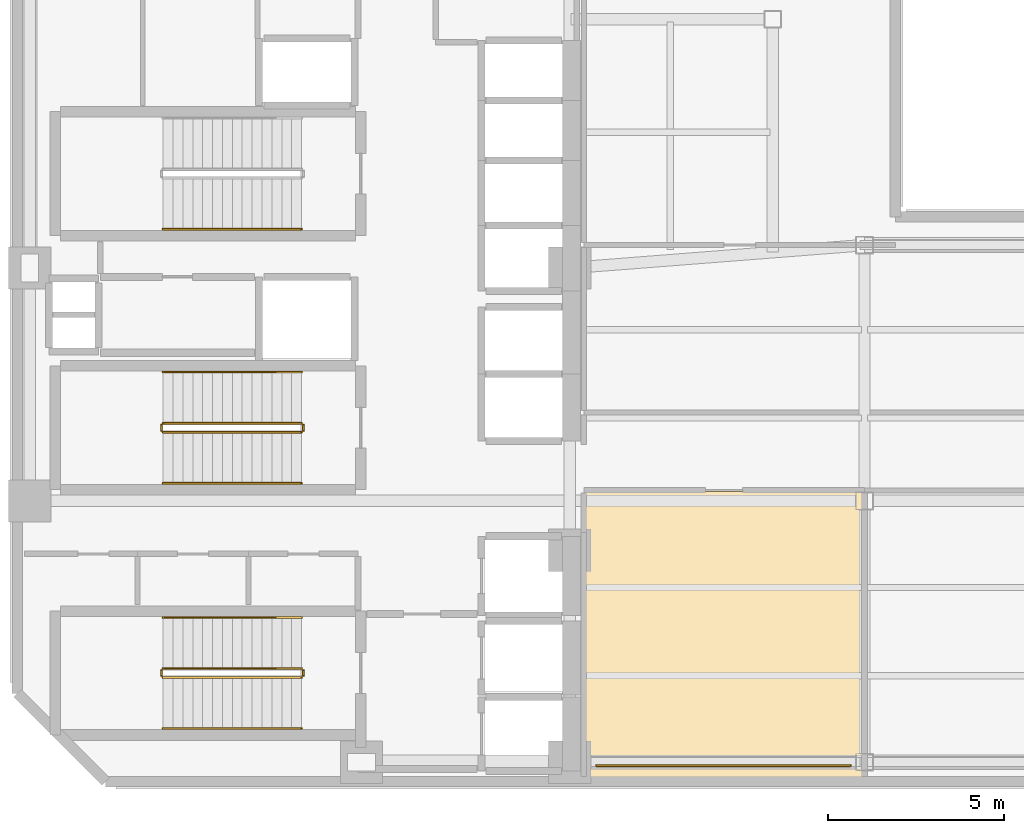
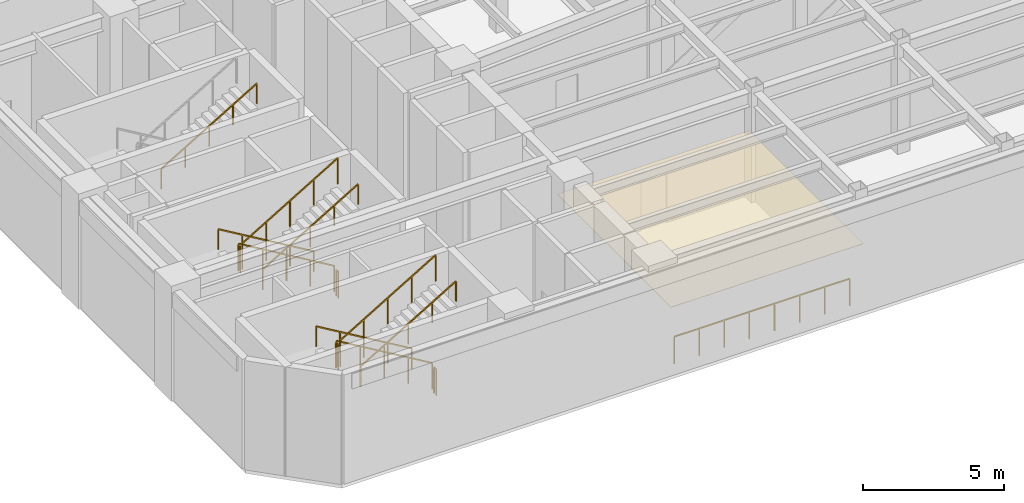
# One storey, part 6 of 9: 14 railings, 1 covering.
"""IFC4 building model written with IfcOpenShell, lengths in metres."""

import ifcopenshell
import ifcopenshell.guid

model = None  # the IFC model being written
_history = None  # IfcOwnerHistory: only IFC2X3 demands one
_inside = {}  # id of a spatial element -> (the spatial element, [elements in it])
_under = {}  # id of a project, library or spatial element -> (it, [spatial elements below it])
_declared = {}  # id of a project -> (the project, [libraries it declares])
_typed = {}  # id of a type object -> (the type object, [elements of that type])
_made_of = {}  # id of a material, layer set ... -> (it, [elements and type objects made of it])


def new_model(schema):
    """Start an empty IFC model of exactly this schema.

    Asked for "IFC4X3", IfcOpenShell would pick the latest addendum, in which some entities
    have other attributes; the version numbers below select the first issue.
    IFC2X3 requires an IfcOwnerHistory on every rooted entity: one is made here for all.
    """
    global model, _history
    if schema == "IFC4X3":
        model = ifcopenshell.file(schema_version=(4, 3, 0, 0))
    else:
        model = ifcopenshell.file(schema=schema)
    _inside.clear()
    _under.clear()
    _declared.clear()
    _typed.clear()
    _made_of.clear()
    _history = None
    if model.schema == "IFC2X3":
        org = make("IfcOrganization", Name="unknown")
        user = make(
            "IfcPersonAndOrganization",
            ThePerson=make("IfcPerson", FamilyName="unknown"),
            TheOrganization=org,
        )
        app = make(
            "IfcApplication",
            ApplicationDeveloper=org,
            Version="unknown",
            ApplicationFullName="unknown",
            ApplicationIdentifier="unknown",
        )
        _history = make(
            "IfcOwnerHistory",
            OwningUser=user,
            OwningApplication=app,
            ChangeAction="ADDED",
            CreationDate=0,
        )
    return model


def make(cls, **values):
    """One entity of the class cls with the attributes given. An attribute that is None is left unset."""
    return model.create_entity(
        cls, **{name: value for name, value in values.items() if value is not None}
    )


def rooted(cls, **values):
    """An entity with a GlobalId (a new one), such as an element, a storey or a relation."""
    return make(cls, GlobalId=ifcopenshell.guid.new(), OwnerHistory=_history, **values)


def si_unit(unit_type, name, prefix=None):
    """IfcSIUnit, for example si_unit("LENGTHUNIT", "METRE", prefix="MILLI")."""
    return make("IfcSIUnit", UnitType=unit_type, Prefix=prefix, Name=name)


def assignment(units):
    """IfcUnitAssignment: the units of a project."""
    return None if units is None else make("IfcUnitAssignment", Units=units)


def point(xyz):
    """IfcCartesianPoint."""
    return None if xyz is None else make("IfcCartesianPoint", Coordinates=xyz)


def direction(xyz):
    """IfcDirection."""
    return None if xyz is None else make("IfcDirection", DirectionRatios=xyz)


def frame(location, z_axis=None, x_axis=None):
    """IfcAxis2Placement3D, a coordinate frame: its origin and axes. An axis left out is left unset."""
    return make(
        "IfcAxis2Placement3D",
        Location=point(location),
        Axis=direction(z_axis),
        RefDirection=direction(x_axis),
    )


def frame_2d(location, x_axis=None):
    """IfcAxis2Placement2D, a coordinate frame in the plane: its origin and x axis."""
    return make(
        "IfcAxis2Placement2D", Location=point(location), RefDirection=direction(x_axis)
    )


def origin():
    """The frame at (0, 0, 0) with its axes left unset."""
    return frame((0.0, 0.0, 0.0))


def origin_2d():
    """The frame at (0, 0) in the plane with its x axis left unset."""
    return frame_2d((0.0, 0.0))


def place(relative_to, where):
    """IfcLocalPlacement: puts the frame where relative to a parent placement (None: the world)."""
    return make(
        "IfcLocalPlacement", PlacementRelTo=relative_to, RelativePlacement=where
    )


def context(
    kind, dimensions, precision=None, world=None, true_north=None, identifier=None
):
    """IfcGeometricRepresentationContext, for example the 3D "Model" context."""
    return make(
        "IfcGeometricRepresentationContext",
        ContextIdentifier=identifier,
        ContextType=kind,
        CoordinateSpaceDimension=dimensions,
        Precision=precision,
        WorldCoordinateSystem=world,
        TrueNorth=true_north,
    )


def subcontext(parent, identifier, kind, view, scale=None):
    """IfcGeometricRepresentationSubContext, for example "Body" below "Model"."""
    return make(
        "IfcGeometricRepresentationSubContext",
        ContextIdentifier=identifier,
        ContextType=kind,
        ParentContext=parent,
        TargetScale=scale,
        TargetView=view,
    )


def project(units=None, contexts=None):
    """IfcProject with its units and contexts."""
    return rooted(
        "IfcProject",
        Name="project",
        RepresentationContexts=contexts,
        UnitsInContext=assignment(units),
    )


def spatial(cls, under=None, at=None, **own):
    """A site, building, storey or space (cls), placed at a placement, below another one or the project."""
    s = rooted(cls, ObjectPlacement=at, **own)
    if under is not None:
        _under.setdefault(under.id(), (under, []))[1].append(s)
    return s


def polyline(points):
    """IfcPolyline through the points."""
    return make("IfcPolyline", Points=[point(p) for p in points])


def profile(cls, at=None, kind="AREA", **sizes):
    """A parametric profile (cls). Its sizes go by their IFC names, for example OverallWidth=200.0."""
    return make(cls, ProfileType=kind, Position=at, **sizes)


def rectangle(**sizes):
    """IfcRectangleProfileDef."""
    return profile("IfcRectangleProfileDef", **sizes)


def outline(outer, holes=None, kind="AREA"):
    """IfcArbitraryClosedProfileDef: a profile drawn as a closed curve; with holes, ...WithVoids."""
    if holes is None:
        return make("IfcArbitraryClosedProfileDef", ProfileType=kind, OuterCurve=outer)
    return make(
        "IfcArbitraryProfileDefWithVoids",
        ProfileType=kind,
        OuterCurve=outer,
        InnerCurves=holes,
    )


def extrude(swept, where, along, depth):
    """IfcExtrudedAreaSolid: the profile swept, set in the frame where, extruded along a direction by depth."""
    return make(
        "IfcExtrudedAreaSolid",
        SweptArea=swept,
        Position=where,
        ExtrudedDirection=direction(along),
        Depth=depth,
    )


def shape(context_of_items, identifier, shape_type, items):
    """IfcShapeRepresentation: the items that make up one representation, for example the "Body"."""
    return make(
        "IfcShapeRepresentation",
        ContextOfItems=context_of_items,
        RepresentationIdentifier=identifier,
        RepresentationType=shape_type,
        Items=items,
    )


def material(Name=None, Category=None):
    """IfcMaterial."""
    return make("IfcMaterial", Name=Name, Category=Category)


def layer(
    of_material, thickness, ventilated=None, Name=None, Category=None, Priority=None
):
    """IfcMaterialLayer: one layer of a wall or slab, of a material (None: an air gap)."""
    return make(
        "IfcMaterialLayer",
        Material=of_material,
        LayerThickness=thickness,
        IsVentilated=ventilated,
        Name=Name,
        Category=Category,
        Priority=Priority,
    )


def layer_set(layers, Name=None):
    """IfcMaterialLayerSet."""
    return make("IfcMaterialLayerSet", MaterialLayers=layers, LayerSetName=Name)


def made_of(thing, what):
    """Note that an element or type object is made of a material, layer set ...; save() writes the relation."""
    if what is not None:
        _made_of.setdefault(what.id(), (what, []))[1].append(thing)
    return thing


def type_object(cls, material=None, **own):
    """A type object (cls), such as IfcWallType, which elements share."""
    return made_of(rooted(cls, **own), material)


def element(
    cls,
    number,
    at=None,
    inside=None,
    cuts=None,
    type_object=None,
    material=None,
    context=None,
    identifier="Body",
    shape_type=None,
    held_by="IfcProductDefinitionShape",
    body=None,
    shapes=None,
    **own,
):
    """One element of the class cls, such as IfcWall. Its Tag is "e" and its number.

    at: its placement. inside: the storey or other place that contains it. cuts: it is an
    opening in that element (IfcRelVoidsElement). A single representation is given by context,
    identifier, shape_type and body (its items); several are given by shapes. held_by: the class
    of the entity that holds the representations. save() writes the other relations.
    """
    e = rooted(cls, Tag="e%d" % number, ObjectPlacement=at, **own)
    if body is not None:
        shapes = [shape(context, identifier, shape_type, body)]
    if shapes is not None:
        e.Representation = make(held_by, Representations=shapes)
    if inside is not None:
        _inside.setdefault(inside.id(), (inside, []))[1].append(e)
    if cuts is not None:
        rooted(
            "IfcRelVoidsElement", RelatingBuildingElement=cuts, RelatedOpeningElement=e
        )
    if type_object is not None:
        _typed.setdefault(type_object.id(), (type_object, []))[1].append(e)
    return made_of(e, material)


def aggregate(whole, parts):
    """IfcRelAggregates: a whole, such as a stair, and the parts it consists of."""
    return rooted("IfcRelAggregates", RelatingObject=whole, RelatedObjects=parts)


def save(model, path):
    """Write the relations noted so far, then the file.

    IfcRelAggregates (storeys below a building ...), IfcRelContainedInSpatialStructure (elements
    in a storey), IfcRelDefinesByType, IfcRelAssociatesMaterial and IfcRelDeclares: one each for
    every whole, place, type object, material and project.
    """
    for whole, parts in _under.values():
        aggregate(whole, parts)
    for where, things in _inside.values():
        rooted(
            "IfcRelContainedInSpatialStructure",
            RelatedElements=things,
            RelatingStructure=where,
        )
    for kind, things in _typed.values():
        rooted("IfcRelDefinesByType", RelatedObjects=things, RelatingType=kind)
    for what, things in _made_of.values():
        rooted("IfcRelAssociatesMaterial", RelatedObjects=things, RelatingMaterial=what)
    for by, libraries in _declared.values():
        rooted("IfcRelDeclares", RelatingContext=by, RelatedDefinitions=libraries)
    model.write(path)


model = new_model("IFC4")

# Units and contexts
model_context = context("Model", 3, precision=1e-05, world=origin(), true_north=direction((0.0, 1.0)))
body_context = subcontext(model_context, "Body", "Model", "MODEL_VIEW")
ifc_project = project(units=[si_unit("LENGTHUNIT", "METRE"), si_unit("AREAUNIT", "SQUARE_METRE"), si_unit("VOLUMEUNIT", "CUBIC_METRE"), si_unit("PLANEANGLEUNIT", "RADIAN"), si_unit("MASSUNIT", "GRAM", prefix="KILO")], contexts=[model_context])

# Site, building, storey
site_placement = place(None, origin())
site = spatial("IfcSite", under=ifc_project, at=site_placement, CompositionType="ELEMENT")
building_placement = place(site_placement, origin())
building = spatial("IfcBuilding", under=site, at=building_placement, Name="Mawjaban Terraces University", CompositionType="ELEMENT")
storey_placement = place(building_placement, frame((0.0, 0.0, 165.800048828125)))
storey = spatial("IfcBuildingStorey", under=building, at=storey_placement, Name="L40", CompositionType="ELEMENT", Elevation=165.800048828125)

# Covering
ifc_material_1 = material(Name="Acoustic mineral fibre ceiling tile", Category="masonry")
ifc_layer = layer(ifc_material_1, 0.02001953125)
ifc_layer_set = layer_set([ifc_layer], Name="Acoustic mineral fibre ceiling tile")
covering_type = type_object("IfcCoveringType", Name="AcousticMineralCeiling_20", PredefinedType="CEILING", material=ifc_layer_set)
covering_placement = place(storey_placement, frame((0.0, 0.0, 2.75)))
element("IfcCovering", 1, at=covering_placement, inside=storey, type_object=covering_type, Name="L40 Designated Smoke-Protected Refuge Area East Acoustic Ceiling", PredefinedType="CEILING", context=body_context, shape_type="SweptSolid", body=[
    extrude(outline(polyline([(38.080078125, 0.114990234375), (45.969970703125, 0.114990234375), (45.969970703125, 8.219970703125), (38.080078125, 8.219970703125), (38.080078125, 0.114990234375)])), origin(), (0.0, 0.0, 1.0), 0.02001953125),
])

# Railings
ifc_material_2 = material(Name="Brushed stainless steel 316", Category="steel")
railing_type_1 = type_object("IfcRailingType", Name="StairWallHandrail_900", PredefinedType="HANDRAIL", material=ifc_material_2)
railing_1_placement = place(storey_placement, frame((30.050048828125, 4.64990234375, 0.16650390625)))
element("IfcRailing", 2, at=railing_1_placement, inside=storey, type_object=railing_type_1, Name="L40 ST-1 stair handrail 1", PredefinedType="HANDRAIL", context=body_context, shape_type="SweptSolid", body=[
    extrude(rectangle(XDim=0.048095703125, YDim=0.048095703125, at=origin_2d()), frame((0.0, 0.0, 0.8759765625), z_axis=(-0.859286724212, 0.0, 0.511494208758), x_axis=(0.0, -1.0, 0.0)), (0.0, 0.0, 1.0), 4.56201171875),
    extrude(rectangle(XDim=0.0419921875, YDim=0.0419921875, at=origin_2d()), origin(), (0.0, 0.0, 1.0), 0.851806640625),
    extrude(rectangle(XDim=0.0419921875, YDim=0.0419921875, at=origin_2d()), frame((-0.97998046875, 0.0, 0.58349609375)), (0.0, 0.0, 1.0), 0.851806640625),
    extrude(rectangle(XDim=0.0419921875, YDim=0.0419921875, at=origin_2d()), frame((-1.9599609375, 0.0, 1.166748046875)), (0.0, 0.0, 1.0), 0.851806640625),
    extrude(rectangle(XDim=0.0419921875, YDim=0.0419921875, at=origin_2d()), frame((-2.940185546875, 0.0, 1.75)), (0.0, 0.0, 1.0), 0.851806640625),
    extrude(rectangle(XDim=0.0419921875, YDim=0.0419921875, at=origin_2d()), frame((-3.920166015625, 0.0, 2.33349609375)), (0.0, 0.0, 1.0), 0.851806640625),
])
for number, where, name in (
    (3, (26.1298828125, 1.5, 2.66650390625), "L40 ST-1 stair handrail 2"),
    (4, (26.1298828125, 15.64990234375, 2.66650390625), "L40 ST-2 stair handrail 2"),
):
    element("IfcRailing", number, at=place(storey_placement, frame(where)), inside=storey, type_object=railing_type_1, Name=name, PredefinedType="HANDRAIL", context=body_context, shape_type="SweptSolid", body=[
        extrude(rectangle(XDim=0.048095703125, YDim=0.048095703125, at=origin_2d()), frame((0.0, 0.0, 0.8759765625), z_axis=(0.859286724212, 0.0, 0.511494208758), x_axis=(0.0, 1.0, 0.0)), (0.0, 0.0, 1.0), 4.56201171875),
        extrude(rectangle(XDim=0.0419921875, YDim=0.0419921875, at=origin_2d()), origin(), (0.0, 0.0, 1.0), 0.851806640625),
        extrude(rectangle(XDim=0.0419921875, YDim=0.0419921875, at=origin_2d()), frame((0.97998046875, 0.0, 0.58349609375)), (0.0, 0.0, 1.0), 0.851806640625),
        extrude(rectangle(XDim=0.0419921875, YDim=0.0419921875, at=origin_2d()), frame((1.9599609375, 0.0, 1.166748046875)), (0.0, 0.0, 1.0), 0.851806640625),
        extrude(rectangle(XDim=0.0419921875, YDim=0.0419921875, at=origin_2d()), frame((2.940185546875, 0.0, 1.75)), (0.0, 0.0, 1.0), 0.851806640625),
        extrude(rectangle(XDim=0.0419921875, YDim=0.0419921875, at=origin_2d()), frame((3.920166015625, 0.0, 2.33349609375)), (0.0, 0.0, 1.0), 0.851806640625),
    ])
railing_2_placement = place(storey_placement, frame((30.050048828125, 11.60009765625, 0.16650390625)))
element("IfcRailing", 5, at=railing_2_placement, inside=storey, type_object=railing_type_1, Name="L40 ST-3 stair handrail 1", PredefinedType="HANDRAIL", context=body_context, shape_type="SweptSolid", body=[
    extrude(rectangle(XDim=0.048095703125, YDim=0.048095703125, at=origin_2d()), frame((0.0, 0.0, 0.8759765625), z_axis=(-0.859286724212, 0.0, 0.511494208758), x_axis=(0.0, -1.0, 0.0)), (0.0, 0.0, 1.0), 4.56201171875),
    extrude(rectangle(XDim=0.0419921875, YDim=0.0419921875, at=origin_2d()), origin(), (0.0, 0.0, 1.0), 0.851806640625),
    extrude(rectangle(XDim=0.0419921875, YDim=0.0419921875, at=origin_2d()), frame((-0.97998046875, 0.0, 0.58349609375)), (0.0, 0.0, 1.0), 0.851806640625),
    extrude(rectangle(XDim=0.0419921875, YDim=0.0419921875, at=origin_2d()), frame((-1.9599609375, 0.0, 1.166748046875)), (0.0, 0.0, 1.0), 0.851806640625),
    extrude(rectangle(XDim=0.0419921875, YDim=0.0419921875, at=origin_2d()), frame((-2.940185546875, 0.0, 1.75)), (0.0, 0.0, 1.0), 0.851806640625),
    extrude(rectangle(XDim=0.0419921875, YDim=0.0419921875, at=origin_2d()), frame((-3.920166015625, 0.0, 2.33349609375)), (0.0, 0.0, 1.0), 0.851806640625),
])
railing_3_placement = place(storey_placement, frame((26.1298828125, 8.449951171875, 2.66650390625)))
element("IfcRailing", 6, at=railing_3_placement, inside=storey, type_object=railing_type_1, Name="L40 ST-3 stair handrail 2", PredefinedType="HANDRAIL", context=body_context, shape_type="SweptSolid", body=[
    extrude(rectangle(XDim=0.048095703125, YDim=0.048095703125, at=origin_2d()), frame((0.0, 0.0, 0.8759765625), z_axis=(0.859286724212, 0.0, 0.511494208758), x_axis=(0.0, 1.0, 0.0)), (0.0, 0.0, 1.0), 4.56201171875),
    extrude(rectangle(XDim=0.0419921875, YDim=0.0419921875, at=origin_2d()), origin(), (0.0, 0.0, 1.0), 0.851806640625),
    extrude(rectangle(XDim=0.0419921875, YDim=0.0419921875, at=origin_2d()), frame((0.97998046875, 0.0, 0.58349609375)), (0.0, 0.0, 1.0), 0.851806640625),
    extrude(rectangle(XDim=0.0419921875, YDim=0.0419921875, at=origin_2d()), frame((1.9599609375, 0.0, 1.166748046875)), (0.0, 0.0, 1.0), 0.851806640625),
    extrude(rectangle(XDim=0.0419921875, YDim=0.0419921875, at=origin_2d()), frame((2.940185546875, 0.0, 1.75)), (0.0, 0.0, 1.0), 0.851806640625),
    extrude(rectangle(XDim=0.0419921875, YDim=0.0419921875, at=origin_2d()), frame((3.920166015625, 0.0, 2.33349609375)), (0.0, 0.0, 1.0), 0.851806640625),
])
ifc_material_3 = material(Name="Galvanised painted steel S355", Category="steel")
railing_type_2 = type_object("IfcRailingType", Name="StairWellGuard_1150", PredefinedType="BALUSTRADE", material=ifc_material_3)
railing_4_placement = place(storey_placement, frame((30.050048828125, 3.199951171875, 0.16650390625)))
element("IfcRailing", 7, at=railing_4_placement, inside=storey, type_object=railing_type_2, Name="L40 ST-1 stair guard 1", PredefinedType="BALUSTRADE", context=body_context, shape_type="SweptSolid", body=[
    extrude(rectangle(XDim=0.048095703125, YDim=0.048095703125, at=origin_2d()), frame((0.0, 0.0, 1.1259765625), z_axis=(-0.859286724212, 0.0, 0.511494208758), x_axis=(0.0, -1.0, 0.0)), (0.0, 0.0, 1.0), 4.56201171875),
    extrude(rectangle(XDim=0.0419921875, YDim=0.0419921875, at=origin_2d()), origin(), (0.0, 0.0, 1.0), 1.101806640625),
    extrude(rectangle(XDim=0.0419921875, YDim=0.0419921875, at=origin_2d()), frame((-0.97998046875, 0.0, 0.58349609375)), (0.0, 0.0, 1.0), 1.101806640625),
    extrude(rectangle(XDim=0.0419921875, YDim=0.0419921875, at=origin_2d()), frame((-1.9599609375, 0.0, 1.166748046875)), (0.0, 0.0, 1.0), 1.101806640625),
    extrude(rectangle(XDim=0.0419921875, YDim=0.0419921875, at=origin_2d()), frame((-2.940185546875, 0.0, 1.75)), (0.0, 0.0, 1.0), 1.101806640625),
    extrude(rectangle(XDim=0.0419921875, YDim=0.0419921875, at=origin_2d()), frame((-3.920166015625, 0.0, 2.33349609375)), (0.0, 0.0, 1.0), 1.101806640625),
])
railing_5_placement = place(storey_placement, frame((26.080078125, 3.14990234375, 2.5)))
element("IfcRailing", 8, at=railing_5_placement, inside=storey, type_object=railing_type_2, Name="L40 ST-1 stair guard 2", PredefinedType="BALUSTRADE", context=body_context, shape_type="SweptSolid", body=[
    extrude(rectangle(XDim=0.048095703125, YDim=0.048095703125, at=origin_2d()), frame((0.0, 0.0, 1.1259765625), z_axis=(0.0, -1.0, 0.0), x_axis=(1.0, 0.0, 0.0)), (0.0, 0.0, 1.0), 0.14990234375),
    extrude(rectangle(XDim=0.0419921875, YDim=0.0419921875, at=origin_2d()), origin(), (0.0, 0.0, 1.0), 1.101806640625),
    extrude(rectangle(XDim=0.0419921875, YDim=0.0419921875, at=origin_2d()), frame((0.0, -0.14990234375, 0.0)), (0.0, 0.0, 1.0), 1.101806640625),
])
railing_6_placement = place(storey_placement, frame((26.1298828125, 2.949951171875, 2.66650390625)))
element("IfcRailing", 9, at=railing_6_placement, inside=storey, type_object=railing_type_2, Name="L40 ST-1 stair guard 3", PredefinedType="BALUSTRADE", context=body_context, shape_type="SweptSolid", body=[
    extrude(rectangle(XDim=0.048095703125, YDim=0.048095703125, at=origin_2d()), frame((0.0, 0.0, 1.1259765625), z_axis=(0.859286724212, 0.0, 0.511494208758), x_axis=(0.0, 1.0, 0.0)), (0.0, 0.0, 1.0), 4.56201171875),
    extrude(rectangle(XDim=0.0419921875, YDim=0.0419921875, at=origin_2d()), origin(), (0.0, 0.0, 1.0), 1.101806640625),
    extrude(rectangle(XDim=0.0419921875, YDim=0.0419921875, at=origin_2d()), frame((0.97998046875, 0.0, 0.58349609375)), (0.0, 0.0, 1.0), 1.101806640625),
    extrude(rectangle(XDim=0.0419921875, YDim=0.0419921875, at=origin_2d()), frame((1.9599609375, 0.0, 1.166748046875)), (0.0, 0.0, 1.0), 1.101806640625),
    extrude(rectangle(XDim=0.0419921875, YDim=0.0419921875, at=origin_2d()), frame((2.940185546875, 0.0, 1.75)), (0.0, 0.0, 1.0), 1.101806640625),
    extrude(rectangle(XDim=0.0419921875, YDim=0.0419921875, at=origin_2d()), frame((3.920166015625, 0.0, 2.33349609375)), (0.0, 0.0, 1.0), 1.101806640625),
])
railing_7_placement = place(storey_placement, frame((30.10009765625, 3.14990234375, 0.0)))
element("IfcRailing", 10, at=railing_7_placement, inside=storey, type_object=railing_type_2, Name="L40 ST-1 stair guard 4", PredefinedType="BALUSTRADE", context=body_context, shape_type="SweptSolid", body=[
    extrude(rectangle(XDim=0.048095703125, YDim=0.048095703125, at=origin_2d()), frame((0.0, 0.0, 1.1259765625), z_axis=(0.0, -1.0, 0.0), x_axis=(1.0, 0.0, 0.0)), (0.0, 0.0, 1.0), 0.14990234375),
    extrude(rectangle(XDim=0.0419921875, YDim=0.0419921875, at=origin_2d()), origin(), (0.0, 0.0, 1.0), 1.101806640625),
    extrude(rectangle(XDim=0.0419921875, YDim=0.0419921875, at=origin_2d()), frame((0.0, -0.14990234375, 0.0)), (0.0, 0.0, 1.0), 1.101806640625),
])
railing_8_placement = place(storey_placement, frame((30.050048828125, 10.14990234375, 0.16650390625)))
element("IfcRailing", 11, at=railing_8_placement, inside=storey, type_object=railing_type_2, Name="L40 ST-3 stair guard 1", PredefinedType="BALUSTRADE", context=body_context, shape_type="SweptSolid", body=[
    extrude(rectangle(XDim=0.048095703125, YDim=0.048095703125, at=origin_2d()), frame((0.0, 0.0, 1.1259765625), z_axis=(-0.859286724212, 0.0, 0.511494208758), x_axis=(0.0, -1.0, 0.0)), (0.0, 0.0, 1.0), 4.56201171875),
    extrude(rectangle(XDim=0.0419921875, YDim=0.0419921875, at=origin_2d()), origin(), (0.0, 0.0, 1.0), 1.101806640625),
    extrude(rectangle(XDim=0.0419921875, YDim=0.0419921875, at=origin_2d()), frame((-0.97998046875, 0.0, 0.58349609375)), (0.0, 0.0, 1.0), 1.101806640625),
    extrude(rectangle(XDim=0.0419921875, YDim=0.0419921875, at=origin_2d()), frame((-1.9599609375, 0.0, 1.166748046875)), (0.0, 0.0, 1.0), 1.101806640625),
    extrude(rectangle(XDim=0.0419921875, YDim=0.0419921875, at=origin_2d()), frame((-2.940185546875, 0.0, 1.75)), (0.0, 0.0, 1.0), 1.101806640625),
    extrude(rectangle(XDim=0.0419921875, YDim=0.0419921875, at=origin_2d()), frame((-3.920166015625, 0.0, 2.33349609375)), (0.0, 0.0, 1.0), 1.101806640625),
])
railing_9_placement = place(storey_placement, frame((26.080078125, 10.10009765625, 2.5)))
element("IfcRailing", 12, at=railing_9_placement, inside=storey, type_object=railing_type_2, Name="L40 ST-3 stair guard 2", PredefinedType="BALUSTRADE", context=body_context, shape_type="SweptSolid", body=[
    extrude(rectangle(XDim=0.048095703125, YDim=0.048095703125, at=origin_2d()), frame((0.0, 0.0, 1.1259765625), z_axis=(0.0, -1.0, 0.0), x_axis=(1.0, 0.0, 0.0)), (0.0, 0.0, 1.0), 0.150146484375),
    extrude(rectangle(XDim=0.0419921875, YDim=0.0419921875, at=origin_2d()), origin(), (0.0, 0.0, 1.0), 1.101806640625),
    extrude(rectangle(XDim=0.0419921875, YDim=0.0419921875, at=origin_2d()), frame((0.0, -0.150146484375, 0.0)), (0.0, 0.0, 1.0), 1.101806640625),
])
railing_10_placement = place(storey_placement, frame((26.1298828125, 9.89990234375, 2.66650390625)))
element("IfcRailing", 13, at=railing_10_placement, inside=storey, type_object=railing_type_2, Name="L40 ST-3 stair guard 3", PredefinedType="BALUSTRADE", context=body_context, shape_type="SweptSolid", body=[
    extrude(rectangle(XDim=0.048095703125, YDim=0.048095703125, at=origin_2d()), frame((0.0, 0.0, 1.1259765625), z_axis=(0.859286724212, 0.0, 0.511494208758), x_axis=(0.0, 1.0, 0.0)), (0.0, 0.0, 1.0), 4.56201171875),
    extrude(rectangle(XDim=0.0419921875, YDim=0.0419921875, at=origin_2d()), origin(), (0.0, 0.0, 1.0), 1.101806640625),
    extrude(rectangle(XDim=0.0419921875, YDim=0.0419921875, at=origin_2d()), frame((0.97998046875, 0.0, 0.58349609375)), (0.0, 0.0, 1.0), 1.101806640625),
    extrude(rectangle(XDim=0.0419921875, YDim=0.0419921875, at=origin_2d()), frame((1.9599609375, 0.0, 1.166748046875)), (0.0, 0.0, 1.0), 1.101806640625),
    extrude(rectangle(XDim=0.0419921875, YDim=0.0419921875, at=origin_2d()), frame((2.940185546875, 0.0, 1.75)), (0.0, 0.0, 1.0), 1.101806640625),
    extrude(rectangle(XDim=0.0419921875, YDim=0.0419921875, at=origin_2d()), frame((3.920166015625, 0.0, 2.33349609375)), (0.0, 0.0, 1.0), 1.101806640625),
])
railing_11_placement = place(storey_placement, frame((30.10009765625, 10.10009765625, 0.0)))
element("IfcRailing", 14, at=railing_11_placement, inside=storey, type_object=railing_type_2, Name="L40 ST-3 stair guard 4", PredefinedType="BALUSTRADE", context=body_context, shape_type="SweptSolid", body=[
    extrude(rectangle(XDim=0.048095703125, YDim=0.048095703125, at=origin_2d()), frame((0.0, 0.0, 1.1259765625), z_axis=(0.0, -1.0, 0.0), x_axis=(1.0, 0.0, 0.0)), (0.0, 0.0, 1.0), 0.150146484375),
    extrude(rectangle(XDim=0.0419921875, YDim=0.0419921875, at=origin_2d()), origin(), (0.0, 0.0, 1.0), 1.101806640625),
    extrude(rectangle(XDim=0.0419921875, YDim=0.0419921875, at=origin_2d()), frame((0.0, -0.150146484375, 0.0)), (0.0, 0.0, 1.0), 1.101806640625),
])
ifc_material_4 = material(Name="Galvanised powder-coated steel S355", Category="steel")
railing_type_3 = type_object("IfcRailingType", Name="TerraceGuardrail_1200", PredefinedType="GUARDRAIL", material=ifc_material_4)
railing_12_placement = place(storey_placement, frame((38.39990234375, 0.449951171875, 0.0)))
element("IfcRailing", 15, at=railing_12_placement, inside=storey, type_object=railing_type_3, Name="L40 Open-Band Refuge Guardrail South", PredefinedType="GUARDRAIL", context=body_context, shape_type="SweptSolid", body=[
    extrude(rectangle(XDim=0.048095703125, YDim=0.048095703125, at=origin_2d()), frame((0.0, 0.0, 1.17578125), z_axis=(1.0, 0.0, 0.0), x_axis=(0.0, 1.0, 0.0)), (0.0, 0.0, 1.0), 7.2001953125),
    extrude(rectangle(XDim=0.0419921875, YDim=0.0419921875, at=origin_2d()), origin(), (0.0, 0.0, 1.0), 1.15185546875),
    extrude(rectangle(XDim=0.0419921875, YDim=0.0419921875, at=origin_2d()), frame((1.028564453125, 0.0, 0.0)), (0.0, 0.0, 1.0), 1.15185546875),
    extrude(rectangle(XDim=0.0419921875, YDim=0.0419921875, at=origin_2d()), frame((2.05712890625, 0.0, 0.0)), (0.0, 0.0, 1.0), 1.15185546875),
    extrude(rectangle(XDim=0.0419921875, YDim=0.0419921875, at=origin_2d()), frame((3.085693359375, 0.0, 0.0)), (0.0, 0.0, 1.0), 1.15185546875),
    extrude(rectangle(XDim=0.0419921875, YDim=0.0419921875, at=origin_2d()), frame((4.114501953125, 0.0, 0.0)), (0.0, 0.0, 1.0), 1.15185546875),
    extrude(rectangle(XDim=0.0419921875, YDim=0.0419921875, at=origin_2d()), frame((5.14306640625, 0.0, 0.0)), (0.0, 0.0, 1.0), 1.15185546875),
    extrude(rectangle(XDim=0.0419921875, YDim=0.0419921875, at=origin_2d()), frame((6.171630859375, 0.0, 0.0)), (0.0, 0.0, 1.0), 1.15185546875),
    extrude(rectangle(XDim=0.0419921875, YDim=0.0419921875, at=origin_2d()), frame((7.2001953125, 0.0, 0.0)), (0.0, 0.0, 1.0), 1.15185546875),
])

save(model, "model.ifc")
